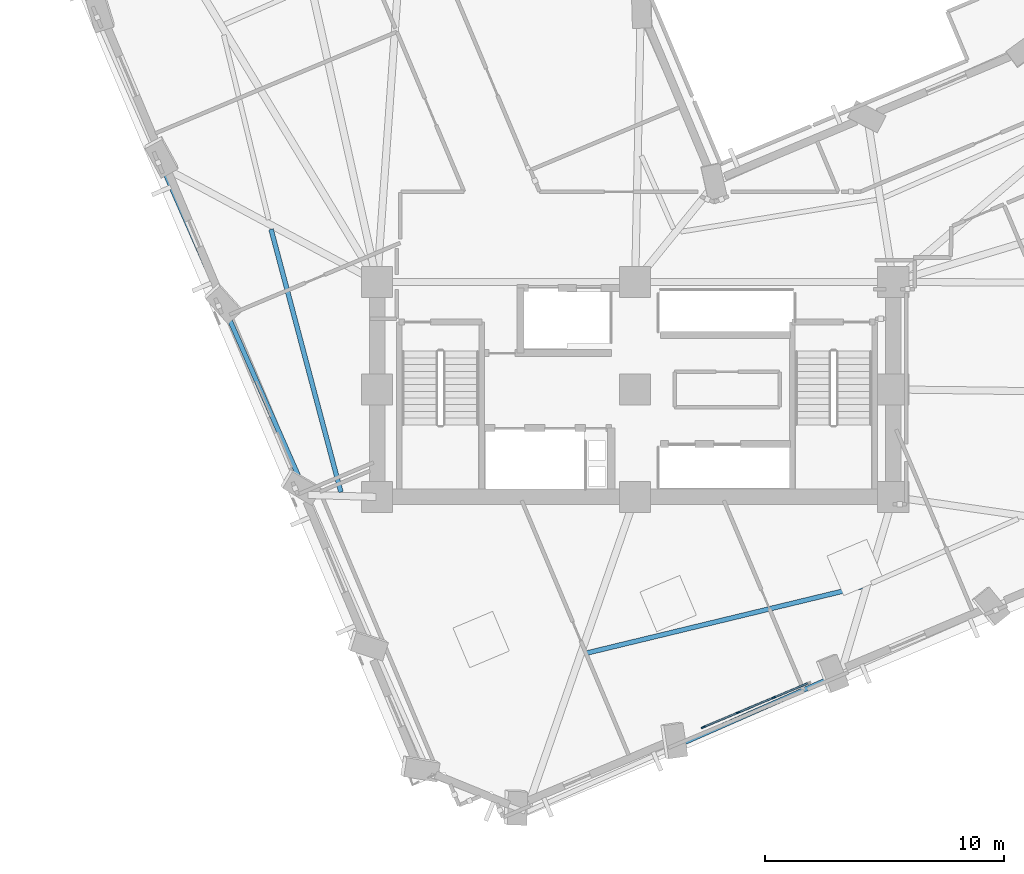
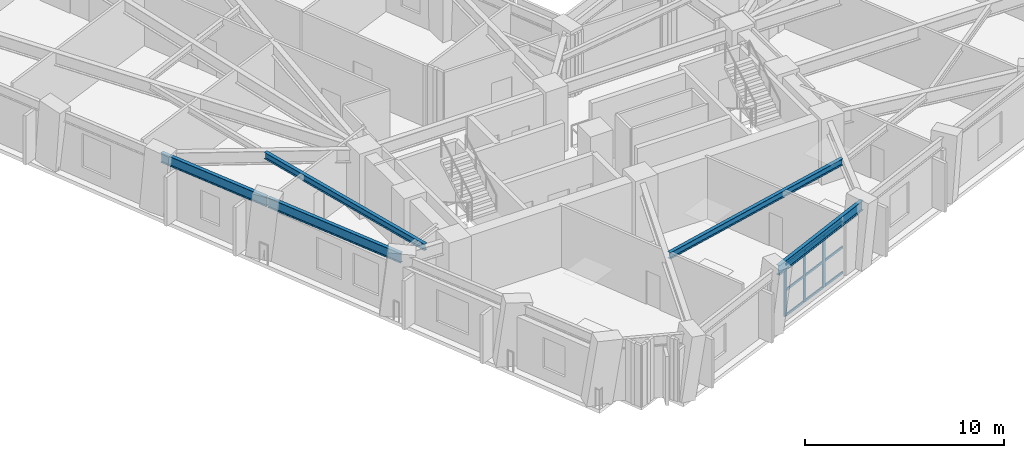
# One storey, part 2 of 18: 12 members, 5 beams, 1 element without a shape of its own.
"""IFC4 building model written with IfcOpenShell, lengths in metres."""

from ifc_helpers import new_model, si_unit, direction, frame, origin, origin_2d, place, context, subcontext, project, spatial, rectangle, i_section, extrude, material, material_profile, profile_set, type_object, element, aggregate, save


model = new_model("IFC4")

# Units and contexts
model_context = context("Model", 3, precision=1e-05, world=origin(), true_north=direction((0.0, 1.0)))
body_context = subcontext(model_context, "Body", "Model", "MODEL_VIEW")
ifc_project = project(units=[si_unit("LENGTHUNIT", "METRE"), si_unit("AREAUNIT", "SQUARE_METRE"), si_unit("VOLUMEUNIT", "CUBIC_METRE"), si_unit("PLANEANGLEUNIT", "RADIAN"), si_unit("MASSUNIT", "GRAM", prefix="KILO")], contexts=[model_context])

# Site, building, storey
site_placement = place(None, origin())
site = spatial("IfcSite", under=ifc_project, at=site_placement, CompositionType="ELEMENT")
building_placement = place(site_placement, origin())
building = spatial("IfcBuilding", under=site, at=building_placement, Name="Gaonmaruhae Medical Tower", CompositionType="ELEMENT")
storey_placement = place(building_placement, frame((0.0, 0.0, 120.39990234375)))
storey = spatial("IfcBuildingStorey", under=building, at=storey_placement, Name="L28", CompositionType="ELEMENT", Elevation=120.39990234375)

# Curtain wall, members
ifc_material_1 = material(Name="Anodised aluminium and Low-E double glazing", Category="aluminium")
curtain_wall_type = type_object("IfcCurtainWallType", Name="CW-S3 Spiralling Dayroom Ribbon Curtain Wall", PredefinedType="NOTDEFINED", material=ifc_material_1)
curtain_wall_placement = place(storey_placement, origin())
curtain_wall = element("IfcCurtainWall", 1, at=curtain_wall_placement, inside=storey, type_object=curtain_wall_type, Name="L28 Curtain Wall CW-L28-S02", PredefinedType="NOTDEFINED")
ifc_material_2 = material(Name="Anodised aluminium 6063-T6", Category="aluminium")
ifc_material_profile_1 = material_profile(ifc_material_2, rectangle(XDim=0.06494140625, YDim=0.179931640625, at=origin_2d()), Name="CWM-65x180")
ifc_profile_set_1 = profile_set([ifc_material_profile_1], Name="Anodised aluminium 6063-T6")
member_type_1 = type_object("IfcMemberType", Name="CWM-2 Tower Feature Curtain Wall Mullion (CWM-65x180)", PredefinedType="MULLION", material=ifc_profile_set_1)
member_1_placement = place(storey_placement, frame((30.5966796875, -0.598388671875, 0.0), z_axis=(0.0, 0.0, 1.0), x_axis=(0.387516387502, -0.921862814858, 0.0)))
member_1 = element("IfcMember", 2, at=member_1_placement, type_object=member_type_1, Name="CW-S3 mullion 2", PredefinedType="MULLION", context=body_context, shape_type="SweptSolid", body=[
    extrude(rectangle(XDim=0.06494140625, YDim=0.179931640625, at=origin_2d()), origin(), (0.0, 0.0, 1.0), 3.1650390625),
])
member_2_placement = place(storey_placement, frame((29.10986328125, -1.223388671875, 0.0), z_axis=(0.0, 0.0, 1.0), x_axis=(0.387516387502, -0.921862814858, 0.0)))
member_2 = element("IfcMember", 3, at=member_2_placement, type_object=member_type_1, Name="CW-S3 mullion 3", PredefinedType="MULLION", context=body_context, shape_type="SweptSolid", body=[
    extrude(rectangle(XDim=0.06494140625, YDim=0.179931640625, at=origin_2d()), origin(), (0.0, 0.0, 1.0), 3.1650390625),
])
member_3_placement = place(storey_placement, frame((27.653076171875, -1.835693359375, 0.0), z_axis=(0.0, 0.0, 1.0), x_axis=(0.387516387502, -0.921862814858, 0.0)))
member_3 = element("IfcMember", 4, at=member_3_placement, type_object=member_type_1, Name="CW-S3 mullion 4", PredefinedType="MULLION", context=body_context, shape_type="SweptSolid", body=[
    extrude(rectangle(XDim=0.06494140625, YDim=0.179931640625, at=origin_2d()), origin(), (0.0, 0.0, 1.0), 3.1650390625),
])
ifc_material_profile_2 = material_profile(ifc_material_2, rectangle(XDim=0.06494140625, YDim=0.139892578125, at=origin_2d()), Name="CWT-65x140")
ifc_profile_set_2 = profile_set([ifc_material_profile_2], Name="Anodised aluminium 6063-T6")
member_type_2 = type_object("IfcMemberType", Name="CWT-2 Tower Feature Curtain Wall Transom (CWT-65x140)", PredefinedType="USERDEFINED", material=ifc_profile_set_2)
member_4_placement = place(storey_placement, frame((32.0234375, 0.001220703125, 0.03271484375), z_axis=(-0.921880838356, -0.387473508607, 0.0), x_axis=(0.387473508607, -0.921880838356, 0.0)))
member_4 = element("IfcMember", 5, at=member_4_placement, type_object=member_type_2, Name="CW-S3 transom 1.1", ObjectType="TRANSOM", PredefinedType="USERDEFINED", context=body_context, shape_type="SweptSolid", body=[
    extrude(rectangle(XDim=0.06494140625, YDim=0.139892578125, at=origin_2d()), origin(), (0.0, 0.0, 1.0), 1.515380859375),
])
member_5_placement = place(storey_placement, frame((32.0234375, 0.001220703125, 1.58251953125), z_axis=(-0.921880838356, -0.387473508607, 0.0), x_axis=(0.387473508607, -0.921880838356, 0.0)))
member_5 = element("IfcMember", 6, at=member_5_placement, type_object=member_type_2, Name="CW-S3 transom 1.2", ObjectType="TRANSOM", PredefinedType="USERDEFINED", context=body_context, shape_type="SweptSolid", body=[
    extrude(rectangle(XDim=0.06494140625, YDim=0.139892578125, at=origin_2d()), origin(), (0.0, 0.0, 1.0), 1.515380859375),
])
member_6_placement = place(storey_placement, frame((32.0234375, 0.001220703125, 3.132568359375), z_axis=(-0.921880838356, -0.387473508607, 0.0), x_axis=(0.387473508607, -0.921880838356, 0.0)))
member_6 = element("IfcMember", 7, at=member_6_placement, type_object=member_type_2, Name="CW-S3 transom 1.3", ObjectType="TRANSOM", PredefinedType="USERDEFINED", context=body_context, shape_type="SweptSolid", body=[
    extrude(rectangle(XDim=0.06494140625, YDim=0.139892578125, at=origin_2d()), origin(), (0.0, 0.0, 1.0), 1.515380859375),
])
member_7_placement = place(storey_placement, frame((30.566650390625, -0.611083984375, 0.03271484375), z_axis=(-0.921840124794, -0.387570360476, 0.0), x_axis=(0.387570360476, -0.921840124794, 0.0)))
member_7 = element("IfcMember", 8, at=member_7_placement, type_object=member_type_2, Name="CW-S3 transom 2.1", ObjectType="TRANSOM", PredefinedType="USERDEFINED", context=body_context, shape_type="SweptSolid", body=[
    extrude(rectangle(XDim=0.06494140625, YDim=0.139892578125, at=origin_2d()), origin(), (0.0, 0.0, 1.0), 1.547607421875),
])
member_8_placement = place(storey_placement, frame((30.566650390625, -0.611083984375, 1.58251953125), z_axis=(-0.921840124794, -0.387570360476, 0.0), x_axis=(0.387570360476, -0.921840124794, 0.0)))
member_8 = element("IfcMember", 9, at=member_8_placement, type_object=member_type_2, Name="CW-S3 transom 2.2", ObjectType="TRANSOM", PredefinedType="USERDEFINED", context=body_context, shape_type="SweptSolid", body=[
    extrude(rectangle(XDim=0.06494140625, YDim=0.139892578125, at=origin_2d()), origin(), (0.0, 0.0, 1.0), 1.547607421875),
])
member_9_placement = place(storey_placement, frame((30.566650390625, -0.611083984375, 3.132568359375), z_axis=(-0.921840124794, -0.387570360476, 0.0), x_axis=(0.387570360476, -0.921840124794, 0.0)))
member_9 = element("IfcMember", 10, at=member_9_placement, type_object=member_type_2, Name="CW-S3 transom 2.3", ObjectType="TRANSOM", PredefinedType="USERDEFINED", context=body_context, shape_type="SweptSolid", body=[
    extrude(rectangle(XDim=0.06494140625, YDim=0.139892578125, at=origin_2d()), origin(), (0.0, 0.0, 1.0), 1.547607421875),
])
member_10_placement = place(storey_placement, frame((29.079833984375, -1.236083984375, 0.03271484375), z_axis=(-0.921856644353, -0.387531066189, 0.0), x_axis=(0.387531066189, -0.921856644353, 0.0)))
member_10 = element("IfcMember", 11, at=member_10_placement, type_object=member_type_2, Name="CW-S3 transom 3.1", ObjectType="TRANSOM", PredefinedType="USERDEFINED", context=body_context, shape_type="SweptSolid", body=[
    extrude(rectangle(XDim=0.06494140625, YDim=0.139892578125, at=origin_2d()), origin(), (0.0, 0.0, 1.0), 1.51513671875),
])
member_11_placement = place(storey_placement, frame((29.079833984375, -1.236083984375, 1.58251953125), z_axis=(-0.921856644353, -0.387531066189, 0.0), x_axis=(0.387531066189, -0.921856644353, 0.0)))
member_11 = element("IfcMember", 12, at=member_11_placement, type_object=member_type_2, Name="CW-S3 transom 3.2", ObjectType="TRANSOM", PredefinedType="USERDEFINED", context=body_context, shape_type="SweptSolid", body=[
    extrude(rectangle(XDim=0.06494140625, YDim=0.139892578125, at=origin_2d()), origin(), (0.0, 0.0, 1.0), 1.51513671875),
])
member_12_placement = place(storey_placement, frame((29.079833984375, -1.236083984375, 3.132568359375), z_axis=(-0.921856644353, -0.387531066189, 0.0), x_axis=(0.387531066189, -0.921856644353, 0.0)))
member_12 = element("IfcMember", 13, at=member_12_placement, type_object=member_type_2, Name="CW-S3 transom 3.3", ObjectType="TRANSOM", PredefinedType="USERDEFINED", context=body_context, shape_type="SweptSolid", body=[
    extrude(rectangle(XDim=0.06494140625, YDim=0.139892578125, at=origin_2d()), origin(), (0.0, 0.0, 1.0), 1.51513671875),
])
aggregate(curtain_wall, [member_1, member_2, member_3, member_4, member_5, member_6, member_7, member_8, member_9, member_10, member_11, member_12])

# Beams
ifc_material_3 = material(Name="Steel SM355", Category="steel")
ifc_material_profile_3 = material_profile(ifc_material_3, i_section(OverallWidth=0.199951171875, OverallDepth=0.39990234375, WebThickness=0.008056640625, FlangeThickness=0.012939453125, FilletRadius=0.012939453125, at=origin_2d()), Name="H-400x200x8x13")
ifc_profile_set_3 = profile_set([ifc_material_profile_3], Name="Steel SM355")
beam_type_1 = type_object("IfcBeamType", Name="FJ-01 Lower Zone Ward Floor Joist (H-400x200x8x13)", PredefinedType="JOIST", material=ifc_profile_set_3)
beam_1_placement = place(storey_placement, frame((22.69287109375, 1.2470703125, 3.580078125), z_axis=(0.971980269888, 0.235062449039, 0.0), x_axis=(-0.235062449039, 0.971980269888, 0.0)))
element("IfcBeam", 14, at=beam_1_placement, inside=storey, type_object=beam_type_1, Name="L28 Secondary Floor Joist FJ01", PredefinedType="JOIST", context=body_context, shape_type="SweptSolid", body=[
    extrude(i_section(OverallWidth=0.199951171875, OverallDepth=0.39990234375, WebThickness=0.008056640625, FlangeThickness=0.012939453125, FilletRadius=0.012939453125, at=origin_2d()), origin(), (0.0, 0.0, 1.0), 11.97216796875),
])
beam_2_placement = place(storey_placement, frame((9.559814453125, 19.00390625, 3.580078125), z_axis=(0.256863129055, -0.966447791105, 0.0), x_axis=(0.966447791105, 0.256863129055, 0.0)))
element("IfcBeam", 15, at=beam_2_placement, inside=storey, type_object=beam_type_1, Name="L28 Secondary Floor Joist FJ14", PredefinedType="JOIST", context=body_context, shape_type="SweptSolid", body=[
    extrude(i_section(OverallWidth=0.199951171875, OverallDepth=0.39990234375, WebThickness=0.008056640625, FlangeThickness=0.012939453125, FilletRadius=0.012939453125, at=origin_2d()), origin(), (0.0, 0.0, 1.0), 11.3857421875),
])
ifc_material_profile_4 = material_profile(ifc_material_3, i_section(OverallWidth=0.199951171875, OverallDepth=0.60009765625, WebThickness=0.010986328125, FlangeThickness=0.01708984375, FilletRadius=0.012939453125, at=origin_2d()), Name="H-600x200x11x17")
ifc_profile_set_4 = profile_set([ifc_material_profile_4], Name="Steel SM355")
beam_type_2 = type_object("IfcBeamType", Name="SP-01 Lower Perimeter Spandrel Beam (H-600x200x11x17)", PredefinedType="SPANDREL", material=ifc_profile_set_4)
beam_3_placement = place(storey_placement, frame((26.854248046875, -2.476806640625, 3.47998046875), z_axis=(0.915319582826, 0.402728272282, 0.0), x_axis=(-0.402728272282, 0.915319582826, 0.0)))
element("IfcBeam", 16, at=beam_3_placement, inside=storey, type_object=beam_type_2, Name="L28 Perimeter Spandrel Beam S02-S03", PredefinedType="SPANDREL", context=body_context, shape_type="SweptSolid", body=[
    extrude(i_section(OverallWidth=0.199951171875, OverallDepth=0.60009765625, WebThickness=0.010986328125, FlangeThickness=0.01708984375, FilletRadius=0.012939453125, at=origin_2d()), origin(), (0.0, 0.0, 1.0), 7.1201171875),
])
beam_4_placement = place(storey_placement, frame((5.027099609375, 21.57958984375, 3.47998046875), z_axis=(0.402780954708, -0.915296401459, 0.0), x_axis=(0.915296401459, 0.402780954708, 0.0)))
element("IfcBeam", 17, at=beam_4_placement, inside=storey, type_object=beam_type_2, Name="L28 Perimeter Spandrel Beam W03-W04", PredefinedType="SPANDREL", context=body_context, shape_type="SweptSolid", body=[
    extrude(i_section(OverallWidth=0.199951171875, OverallDepth=0.60009765625, WebThickness=0.010986328125, FlangeThickness=0.01708984375, FilletRadius=0.012939453125, at=origin_2d()), origin(), (0.0, 0.0, 1.0), 6.56982421875),
])
beam_5_placement = place(storey_placement, frame((7.70556640625, 15.492919921875, 3.47998046875), z_axis=(0.402733667611, -0.915317208935, 0.0), x_axis=(0.915317208935, 0.402733667611, 0.0)))
element("IfcBeam", 18, at=beam_5_placement, inside=storey, type_object=beam_type_2, Name="L28 Perimeter Spandrel Beam W04-W05", PredefinedType="SPANDREL", context=body_context, shape_type="SweptSolid", body=[
    extrude(i_section(OverallWidth=0.199951171875, OverallDepth=0.60009765625, WebThickness=0.010986328125, FlangeThickness=0.01708984375, FilletRadius=0.012939453125, at=origin_2d()), origin(), (0.0, 0.0, 1.0), 8.27001953125),
])

save(model, "model.ifc")
